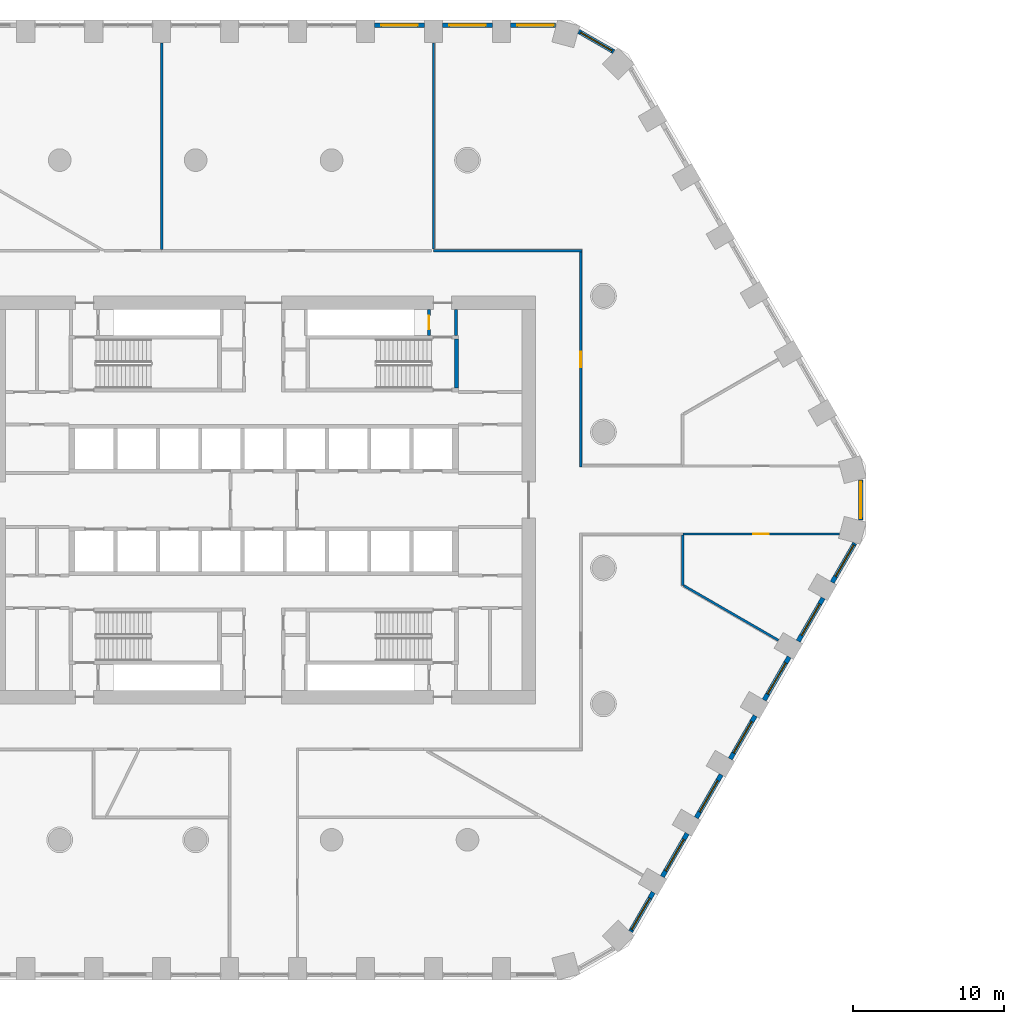
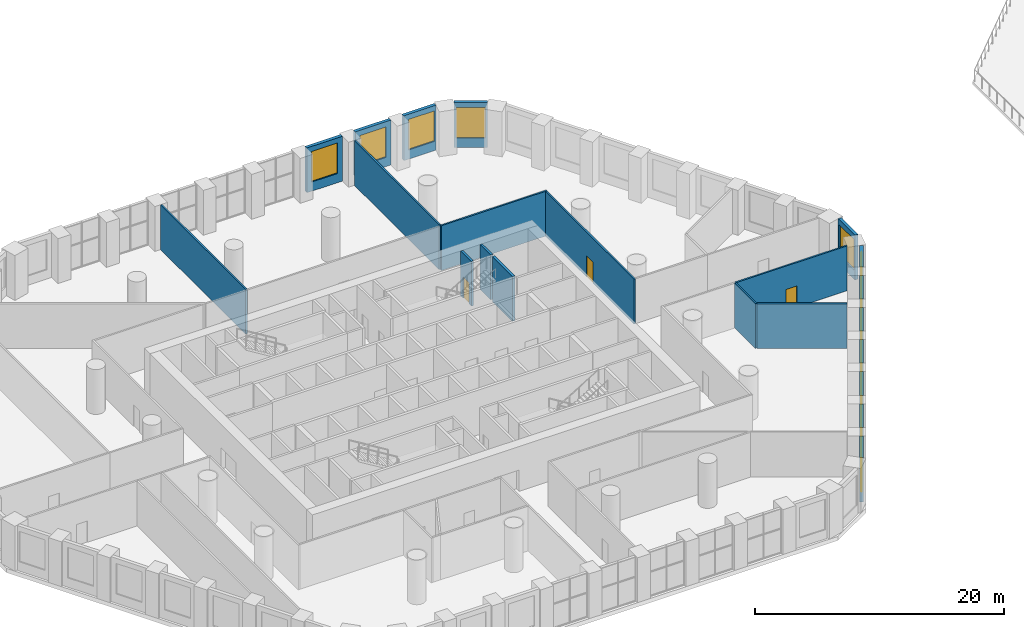
# One storey, part 12 of 21: 22 walls, 12 windows, 3 doors, 15 openings.
"""IFC4 building model written with IfcOpenShell, lengths in metres."""

from ifc_helpers import new_model, si_unit, direction, frame, frame_2d, origin, place, context, subcontext, project, spatial, rectangle, extrude, material, layer, layer_set, type_object, element, fill, save


model = new_model("IFC4")

# Units and contexts
model_context = context("Model", 3, precision=1e-05, world=origin(), true_north=direction((0.0, 1.0)))
body_context = subcontext(model_context, "Body", "Model", "MODEL_VIEW")
ifc_project = project(units=[si_unit("LENGTHUNIT", "METRE"), si_unit("AREAUNIT", "SQUARE_METRE"), si_unit("VOLUMEUNIT", "CUBIC_METRE"), si_unit("PLANEANGLEUNIT", "RADIAN"), si_unit("MASSUNIT", "GRAM", prefix="KILO")], contexts=[model_context])

# Site, building, storey
site_placement = place(None, origin())
site = spatial("IfcSite", under=ifc_project, at=site_placement, CompositionType="ELEMENT")
building_placement = place(site_placement, origin())
building = spatial("IfcBuilding", under=site, at=building_placement, Name="Dhurran Vertical Campus", CompositionType="ELEMENT")
storey_placement = place(building_placement, frame((0.0, 0.0, 20.39990234375)))
storey = spatial("IfcBuildingStorey", under=building, at=storey_placement, Name="L04", CompositionType="ELEMENT", Elevation=20.39990234375)

# Wall, opening, window
ifc_material_1 = material(Name="Precast concrete C50/60", Category="concrete")
ifc_layer_1 = layer(ifc_material_1, 0.300048828125)
ifc_layer_set_1 = layer_set([ifc_layer_1], Name="Precast concrete C50/60")
wall_type_1 = type_object("IfcWallType", Name="Precast spandrel wall 300", PredefinedType="SOLIDWALL", material=ifc_layer_set_1)
wall_1_placement = place(storey_placement, frame((24.29931640625, -28.566162109375, 0.0), z_axis=(0.0, 0.0, 1.0), x_axis=(0.49999586137, 0.866027793211, 0.0)))
wall_1 = element("IfcWall", 1, at=wall_1_placement, inside=storey, type_object=wall_type_1, Name="EW1 L04.10", PredefinedType="SOLIDWALL", context=body_context, shape_type="SweptSolid", body=[
    extrude(rectangle(XDim=2.98876953125, YDim=0.300048828125, at=frame_2d((1.494384765625, 0.0))), origin(), (0.0, 0.0, 1.0), 4.400146484375),
])
opening_1_placement = place(wall_1_placement, frame((0.139404296875, 0.0, 0.89990234375)))
opening_1 = element("IfcOpeningElement", 2, at=opening_1_placement, cuts=wall_1, Name="Opening WT2", PredefinedType="OPENING", context=body_context, shape_type="SweptSolid", body=[
    extrude(rectangle(XDim=2.39990234375, YDim=3.0, at=frame_2d((1.199951171875, 1.5))), frame((0.0, 0.159912109375, 0.0), z_axis=(0.0, -1.0, 0.0), x_axis=(1.0, 0.0, 0.0)), (0.0, 0.0, 1.0), 0.320068359375),
])
ifc_material_2 = material(Name="Aluminium frame with solar-control glass", Category="aluminium")
window_type = type_object("IfcWindowType", Name="Podium window 2400 x 3000", PartitioningType="SINGLE_PANEL", PredefinedType="WINDOW", material=ifc_material_2)
window_1_placement = place(opening_1_placement, origin())
window_1 = element("IfcWindow", 3, at=window_1_placement, inside=storey, type_object=window_type, Name="WT2 L04.10", OverallHeight=3.0, OverallWidth=2.39990234375, PartitioningType="SINGLE_PANEL", PredefinedType="WINDOW", context=body_context, shape_type="SweptSolid", body=[
    extrude(rectangle(XDim=2.39990234375, YDim=3.0, at=frame_2d((1.199951171875, 1.5))), frame((0.0, 0.030029296875, 0.0), z_axis=(0.0, -1.0, 0.0), x_axis=(1.0, 0.0, 0.0)), (0.0, 0.0, 1.0), 0.06005859375),
])
fill(opening_1, window_1)

wall_2_placement = place(storey_placement, frame((26.394287109375, -24.9375, 0.0), z_axis=(0.0, 0.0, 1.0), x_axis=(0.499991515992, 0.866030301974, 0.0)))
wall_2 = element("IfcWall", 4, at=wall_2_placement, inside=storey, type_object=wall_type_1, Name="EW1 L04.11", PredefinedType="SOLIDWALL", context=body_context, shape_type="SweptSolid", body=[
    extrude(rectangle(XDim=3.298828125, YDim=0.300048828125, at=frame_2d((1.6494140625, 0.0))), origin(), (0.0, 0.0, 1.0), 4.400146484375),
])
opening_2_placement = place(wall_2_placement, frame((0.449462890625, 0.0, 0.89990234375)))
opening_2 = element("IfcOpeningElement", 5, at=opening_2_placement, cuts=wall_2, Name="Opening WT2", PredefinedType="OPENING", context=body_context, shape_type="SweptSolid", body=[
    extrude(rectangle(XDim=2.39990234375, YDim=3.0, at=frame_2d((1.199951171875, 1.5))), frame((0.0, 0.159912109375, 0.0), z_axis=(0.0, -1.0, 0.0), x_axis=(1.0, 0.0, 0.0)), (0.0, 0.0, 1.0), 0.320068359375),
])
window_2_placement = place(opening_2_placement, origin())
window_2 = element("IfcWindow", 6, at=window_2_placement, inside=storey, type_object=window_type, Name="WT2 L04.11", OverallHeight=3.0, OverallWidth=2.39990234375, PartitioningType="SINGLE_PANEL", PredefinedType="WINDOW", context=body_context, shape_type="SweptSolid", body=[
    extrude(rectangle(XDim=2.39990234375, YDim=3.0, at=frame_2d((1.199951171875, 1.5))), frame((0.0, 0.030029296875, 0.0), z_axis=(0.0, -1.0, 0.0), x_axis=(1.0, 0.0, 0.0)), (0.0, 0.0, 1.0), 0.06005859375),
])
fill(opening_2, window_2)

wall_3_placement = place(storey_placement, frame((28.644287109375, -21.04052734375, 0.0), z_axis=(0.0, 0.0, 1.0), x_axis=(0.499991515992, 0.866030301974, 0.0)))
wall_3 = element("IfcWall", 7, at=wall_3_placement, inside=storey, type_object=wall_type_1, Name="EW1 L04.12", PredefinedType="SOLIDWALL", context=body_context, shape_type="SweptSolid", body=[
    extrude(rectangle(XDim=3.298828125, YDim=0.300048828125, at=frame_2d((1.6494140625, 0.0))), origin(), (0.0, 0.0, 1.0), 4.400146484375),
])
opening_3_placement = place(wall_3_placement, frame((0.449462890625, 0.0, 0.89990234375)))
opening_3 = element("IfcOpeningElement", 8, at=opening_3_placement, cuts=wall_3, Name="Opening WT2", PredefinedType="OPENING", context=body_context, shape_type="SweptSolid", body=[
    extrude(rectangle(XDim=2.39990234375, YDim=3.0, at=frame_2d((1.199951171875, 1.5))), frame((0.0, 0.159912109375, 0.0), z_axis=(0.0, -1.0, 0.0), x_axis=(1.0, 0.0, 0.0)), (0.0, 0.0, 1.0), 0.320068359375),
])
window_3_placement = place(opening_3_placement, origin())
window_3 = element("IfcWindow", 9, at=window_3_placement, inside=storey, type_object=window_type, Name="WT2 L04.12", OverallHeight=3.0, OverallWidth=2.39990234375, PartitioningType="SINGLE_PANEL", PredefinedType="WINDOW", context=body_context, shape_type="SweptSolid", body=[
    extrude(rectangle(XDim=2.39990234375, YDim=3.0, at=frame_2d((1.199951171875, 1.5))), frame((0.0, 0.030029296875, 0.0), z_axis=(0.0, -1.0, 0.0), x_axis=(1.0, 0.0, 0.0)), (0.0, 0.0, 1.0), 0.06005859375),
])
fill(opening_3, window_3)

wall_4_placement = place(storey_placement, frame((30.894287109375, -17.143310546875, 0.0), z_axis=(0.0, 0.0, 1.0), x_axis=(0.499991515992, 0.866030301974, 0.0)))
wall_4 = element("IfcWall", 10, at=wall_4_placement, inside=storey, type_object=wall_type_1, Name="EW1 L04.13", PredefinedType="SOLIDWALL", context=body_context, shape_type="SweptSolid", body=[
    extrude(rectangle(XDim=3.298828125, YDim=0.300048828125, at=frame_2d((1.6494140625, 0.0))), origin(), (0.0, 0.0, 1.0), 4.400146484375),
])
opening_4_placement = place(wall_4_placement, frame((0.449462890625, 0.0, 0.89990234375)))
opening_4 = element("IfcOpeningElement", 11, at=opening_4_placement, cuts=wall_4, Name="Opening WT2", PredefinedType="OPENING", context=body_context, shape_type="SweptSolid", body=[
    extrude(rectangle(XDim=2.39990234375, YDim=3.0, at=frame_2d((1.199951171875, 1.5))), frame((0.0, 0.159912109375, 0.0), z_axis=(0.0, -1.0, 0.0), x_axis=(1.0, 0.0, 0.0)), (0.0, 0.0, 1.0), 0.320068359375),
])
window_4_placement = place(opening_4_placement, origin())
window_4 = element("IfcWindow", 12, at=window_4_placement, inside=storey, type_object=window_type, Name="WT2 L04.13", OverallHeight=3.0, OverallWidth=2.39990234375, PartitioningType="SINGLE_PANEL", PredefinedType="WINDOW", context=body_context, shape_type="SweptSolid", body=[
    extrude(rectangle(XDim=2.39990234375, YDim=3.0, at=frame_2d((1.199951171875, 1.5))), frame((0.0, 0.030029296875, 0.0), z_axis=(0.0, -1.0, 0.0), x_axis=(1.0, 0.0, 0.0)), (0.0, 0.0, 1.0), 0.06005859375),
])
fill(opening_4, window_4)

wall_5_placement = place(storey_placement, frame((33.144287109375, -13.246337890625, 0.0), z_axis=(0.0, 0.0, 1.0), x_axis=(0.499991515992, 0.866030301974, 0.0)))
wall_5 = element("IfcWall", 13, at=wall_5_placement, inside=storey, type_object=wall_type_1, Name="EW1 L04.14", PredefinedType="SOLIDWALL", context=body_context, shape_type="SweptSolid", body=[
    extrude(rectangle(XDim=3.298828125, YDim=0.300048828125, at=frame_2d((1.6494140625, 0.0))), origin(), (0.0, 0.0, 1.0), 4.400146484375),
])
opening_5_placement = place(wall_5_placement, frame((0.449462890625, 0.0, 0.89990234375)))
opening_5 = element("IfcOpeningElement", 14, at=opening_5_placement, cuts=wall_5, Name="Opening WT2", PredefinedType="OPENING", context=body_context, shape_type="SweptSolid", body=[
    extrude(rectangle(XDim=2.39990234375, YDim=3.0, at=frame_2d((1.199951171875, 1.5))), frame((0.0, 0.159912109375, 0.0), z_axis=(0.0, -1.0, 0.0), x_axis=(1.0, 0.0, 0.0)), (0.0, 0.0, 1.0), 0.320068359375),
])
window_5_placement = place(opening_5_placement, origin())
window_5 = element("IfcWindow", 15, at=window_5_placement, inside=storey, type_object=window_type, Name="WT2 L04.14", OverallHeight=3.0, OverallWidth=2.39990234375, PartitioningType="SINGLE_PANEL", PredefinedType="WINDOW", context=body_context, shape_type="SweptSolid", body=[
    extrude(rectangle(XDim=2.39990234375, YDim=3.0, at=frame_2d((1.199951171875, 1.5))), frame((0.0, 0.030029296875, 0.0), z_axis=(0.0, -1.0, 0.0), x_axis=(1.0, 0.0, 0.0)), (0.0, 0.0, 1.0), 0.06005859375),
])
fill(opening_5, window_5)

wall_6_placement = place(storey_placement, frame((35.394287109375, -9.34912109375, 0.0), z_axis=(0.0, 0.0, 1.0), x_axis=(0.499991515992, 0.866030301974, 0.0)))
wall_6 = element("IfcWall", 16, at=wall_6_placement, inside=storey, type_object=wall_type_1, Name="EW1 L04.15", PredefinedType="SOLIDWALL", context=body_context, shape_type="SweptSolid", body=[
    extrude(rectangle(XDim=3.298828125, YDim=0.300048828125, at=frame_2d((1.6494140625, 0.0))), origin(), (0.0, 0.0, 1.0), 4.400146484375),
])
opening_6_placement = place(wall_6_placement, frame((0.449462890625, 0.0, 0.89990234375)))
opening_6 = element("IfcOpeningElement", 17, at=opening_6_placement, cuts=wall_6, Name="Opening WT2", PredefinedType="OPENING", context=body_context, shape_type="SweptSolid", body=[
    extrude(rectangle(XDim=2.39990234375, YDim=3.0, at=frame_2d((1.199951171875, 1.5))), frame((0.0, 0.159912109375, 0.0), z_axis=(0.0, -1.0, 0.0), x_axis=(1.0, 0.0, 0.0)), (0.0, 0.0, 1.0), 0.320068359375),
])
window_6_placement = place(opening_6_placement, origin())
window_6 = element("IfcWindow", 18, at=window_6_placement, inside=storey, type_object=window_type, Name="WT2 L04.15", OverallHeight=3.0, OverallWidth=2.39990234375, PartitioningType="SINGLE_PANEL", PredefinedType="WINDOW", context=body_context, shape_type="SweptSolid", body=[
    extrude(rectangle(XDim=2.39990234375, YDim=3.0, at=frame_2d((1.199951171875, 1.5))), frame((0.0, 0.030029296875, 0.0), z_axis=(0.0, -1.0, 0.0), x_axis=(1.0, 0.0, 0.0)), (0.0, 0.0, 1.0), 0.06005859375),
])
fill(opening_6, window_6)

wall_7_placement = place(storey_placement, frame((37.644287109375, -5.4521484375, 0.0), z_axis=(0.0, 0.0, 1.0), x_axis=(0.49999586137, 0.866027793211, 0.0)))
wall_7 = element("IfcWall", 19, at=wall_7_placement, inside=storey, type_object=wall_type_1, Name="EW1 L04.16", PredefinedType="SOLIDWALL", context=body_context, shape_type="SweptSolid", body=[
    extrude(rectangle(XDim=2.98876953125, YDim=0.300048828125, at=frame_2d((1.494384765625, 0.0))), origin(), (0.0, 0.0, 1.0), 4.400146484375),
])
opening_7_placement = place(wall_7_placement, frame((0.449462890625, 0.0, 0.89990234375)))
opening_7 = element("IfcOpeningElement", 20, at=opening_7_placement, cuts=wall_7, Name="Opening WT2", PredefinedType="OPENING", context=body_context, shape_type="SweptSolid", body=[
    extrude(rectangle(XDim=2.39990234375, YDim=3.0, at=frame_2d((1.199951171875, 1.5))), frame((0.0, 0.159912109375, 0.0), z_axis=(0.0, -1.0, 0.0), x_axis=(1.0, 0.0, 0.0)), (0.0, 0.0, 1.0), 0.320068359375),
])
window_7_placement = place(opening_7_placement, origin())
window_7 = element("IfcWindow", 21, at=window_7_placement, inside=storey, type_object=window_type, Name="WT2 L04.16", OverallHeight=3.0, OverallWidth=2.39990234375, PartitioningType="SINGLE_PANEL", PredefinedType="WINDOW", context=body_context, shape_type="SweptSolid", body=[
    extrude(rectangle(XDim=2.39990234375, YDim=3.0, at=frame_2d((1.199951171875, 1.5))), frame((0.0, 0.030029296875, 0.0), z_axis=(0.0, -1.0, 0.0), x_axis=(1.0, 0.0, 0.0)), (0.0, 0.0, 1.0), 0.06005859375),
])
fill(opening_7, window_7)

wall_8_placement = place(storey_placement, frame((39.547119140625, -1.33935546875, 0.0), z_axis=(0.0, 0.0, 1.0), x_axis=(0.0, 1.0, 0.0)))
wall_8 = element("IfcWall", 22, at=wall_8_placement, inside=storey, type_object=wall_type_1, Name="EW1 L04.17", PredefinedType="SOLIDWALL", context=body_context, shape_type="SweptSolid", body=[
    extrude(rectangle(XDim=2.6787109375, YDim=0.300048828125, at=frame_2d((1.33935546875, 0.0))), origin(), (0.0, 0.0, 1.0), 4.400146484375),
])
opening_8_placement = place(wall_8_placement, frame((0.139404296875, 0.0, 0.89990234375)))
opening_8 = element("IfcOpeningElement", 23, at=opening_8_placement, cuts=wall_8, Name="Opening WT2", PredefinedType="OPENING", context=body_context, shape_type="SweptSolid", body=[
    extrude(rectangle(XDim=2.39990234375, YDim=3.0, at=frame_2d((1.199951171875, 1.5))), frame((0.0, 0.159912109375, 0.0), z_axis=(0.0, -1.0, 0.0), x_axis=(1.0, 0.0, 0.0)), (0.0, 0.0, 1.0), 0.320068359375),
])
window_8_placement = place(opening_8_placement, origin())
window_8 = element("IfcWindow", 24, at=window_8_placement, inside=storey, type_object=window_type, Name="WT2 L04.17", OverallHeight=3.0, OverallWidth=2.39990234375, PartitioningType="SINGLE_PANEL", PredefinedType="WINDOW", context=body_context, shape_type="SweptSolid", body=[
    extrude(rectangle(XDim=2.39990234375, YDim=3.0, at=frame_2d((1.199951171875, 1.5))), frame((0.0, 0.030029296875, 0.0), z_axis=(0.0, -1.0, 0.0), x_axis=(1.0, 0.0, 0.0)), (0.0, 0.0, 1.0), 0.06005859375),
])
fill(opening_8, window_8)

wall_9_placement = place(storey_placement, frame((23.183349609375, 29.681884765625, 0.0), z_axis=(0.0, 0.0, 1.0), x_axis=(-0.866001915448, 0.500040680786, 0.0)))
wall_9 = element("IfcWall", 25, at=wall_9_placement, inside=storey, type_object=wall_type_1, Name="EW1 L04.25", PredefinedType="SOLIDWALL", context=body_context, shape_type="SweptSolid", body=[
    extrude(rectangle(XDim=2.678466796875, YDim=0.300048828125, at=frame_2d((1.33935546875, 0.0))), origin(), (0.0, 0.0, 1.0), 4.400146484375),
])
opening_9_placement = place(wall_9_placement, frame((0.139404296875, 0.0, 0.89990234375)))
opening_9 = element("IfcOpeningElement", 26, at=opening_9_placement, cuts=wall_9, Name="Opening WT2", PredefinedType="OPENING", context=body_context, shape_type="SweptSolid", body=[
    extrude(rectangle(XDim=2.39990234375, YDim=3.0, at=frame_2d((1.199951171875, 1.5))), frame((0.0, 0.159912109375, 0.0), z_axis=(0.0, -1.0, 0.0), x_axis=(1.0, 0.0, 0.0)), (0.0, 0.0, 1.0), 0.320068359375),
])
window_9_placement = place(opening_9_placement, origin())
window_9 = element("IfcWindow", 27, at=window_9_placement, inside=storey, type_object=window_type, Name="WT2 L04.25", OverallHeight=3.0, OverallWidth=2.39990234375, PartitioningType="SINGLE_PANEL", PredefinedType="WINDOW", context=body_context, shape_type="SweptSolid", body=[
    extrude(rectangle(XDim=2.39990234375, YDim=3.0, at=frame_2d((1.199951171875, 1.5))), frame((0.0, 0.030029296875, 0.0), z_axis=(0.0, -1.0, 0.0), x_axis=(1.0, 0.0, 0.0)), (0.0, 0.0, 1.0), 0.06005859375),
])
fill(opening_9, window_9)

wall_10_placement = place(storey_placement, frame((19.33935546875, 31.4296875, 0.0), z_axis=(0.0, 0.0, 1.0), x_axis=(-1.0, 0.0, 0.0)))
wall_10 = element("IfcWall", 28, at=wall_10_placement, inside=storey, type_object=wall_type_1, Name="EW1 L04.26", PredefinedType="SOLIDWALL", context=body_context, shape_type="SweptSolid", body=[
    extrude(rectangle(XDim=2.98876953125, YDim=0.300048828125, at=frame_2d((1.494384765625, 0.0))), origin(), (0.0, 0.0, 1.0), 4.400146484375),
])
opening_10_placement = place(wall_10_placement, frame((0.139404296875, 0.0, 0.89990234375)))
opening_10 = element("IfcOpeningElement", 29, at=opening_10_placement, cuts=wall_10, Name="Opening WT2", PredefinedType="OPENING", context=body_context, shape_type="SweptSolid", body=[
    extrude(rectangle(XDim=2.39990234375, YDim=3.0, at=frame_2d((1.199951171875, 1.5))), frame((0.0, 0.159912109375, 0.0), z_axis=(0.0, -1.0, 0.0), x_axis=(1.0, 0.0, 0.0)), (0.0, 0.0, 1.0), 0.320068359375),
])
window_10_placement = place(opening_10_placement, origin())
window_10 = element("IfcWindow", 30, at=window_10_placement, inside=storey, type_object=window_type, Name="WT2 L04.26", OverallHeight=3.0, OverallWidth=2.39990234375, PartitioningType="SINGLE_PANEL", PredefinedType="WINDOW", context=body_context, shape_type="SweptSolid", body=[
    extrude(rectangle(XDim=2.39990234375, YDim=3.0, at=frame_2d((1.199951171875, 1.5))), frame((0.0, 0.030029296875, 0.0), z_axis=(0.0, -1.0, 0.0), x_axis=(1.0, 0.0, 0.0)), (0.0, 0.0, 1.0), 0.06005859375),
])
fill(opening_10, window_10)

wall_11_placement = place(storey_placement, frame((15.1494140625, 31.4296875, 0.0), z_axis=(0.0, 0.0, 1.0), x_axis=(-1.0, 0.0, 0.0)))
wall_11 = element("IfcWall", 31, at=wall_11_placement, inside=storey, type_object=wall_type_1, Name="EW1 L04.27", PredefinedType="SOLIDWALL", context=body_context, shape_type="SweptSolid", body=[
    extrude(rectangle(XDim=3.298828125, YDim=0.300048828125, at=frame_2d((1.6494140625, 0.0))), origin(), (0.0, 0.0, 1.0), 4.400146484375),
])
opening_11_placement = place(wall_11_placement, frame((0.449462890625, 0.0, 0.89990234375)))
opening_11 = element("IfcOpeningElement", 32, at=opening_11_placement, cuts=wall_11, Name="Opening WT2", PredefinedType="OPENING", context=body_context, shape_type="SweptSolid", body=[
    extrude(rectangle(XDim=2.39990234375, YDim=3.0, at=frame_2d((1.199951171875, 1.5))), frame((0.0, 0.159912109375, 0.0), z_axis=(0.0, -1.0, 0.0), x_axis=(1.0, 0.0, 0.0)), (0.0, 0.0, 1.0), 0.320068359375),
])
window_11_placement = place(opening_11_placement, origin())
window_11 = element("IfcWindow", 33, at=window_11_placement, inside=storey, type_object=window_type, Name="WT2 L04.27", OverallHeight=3.0, OverallWidth=2.39990234375, PartitioningType="SINGLE_PANEL", PredefinedType="WINDOW", context=body_context, shape_type="SweptSolid", body=[
    extrude(rectangle(XDim=2.39990234375, YDim=3.0, at=frame_2d((1.199951171875, 1.5))), frame((0.0, 0.030029296875, 0.0), z_axis=(0.0, -1.0, 0.0), x_axis=(1.0, 0.0, 0.0)), (0.0, 0.0, 1.0), 0.06005859375),
])
fill(opening_11, window_11)

wall_12_placement = place(storey_placement, frame((10.6494140625, 31.4296875, 0.0), z_axis=(0.0, 0.0, 1.0), x_axis=(-1.0, 0.0, 0.0)))
wall_12 = element("IfcWall", 34, at=wall_12_placement, inside=storey, type_object=wall_type_1, Name="EW1 L04.28", PredefinedType="SOLIDWALL", context=body_context, shape_type="SweptSolid", body=[
    extrude(rectangle(XDim=3.298828125, YDim=0.300048828125, at=frame_2d((1.6494140625, 0.0))), origin(), (0.0, 0.0, 1.0), 4.400146484375),
])
opening_12_placement = place(wall_12_placement, frame((0.449462890625, 0.0, 0.89990234375)))
opening_12 = element("IfcOpeningElement", 35, at=opening_12_placement, cuts=wall_12, Name="Opening WT2", PredefinedType="OPENING", context=body_context, shape_type="SweptSolid", body=[
    extrude(rectangle(XDim=2.39990234375, YDim=3.0, at=frame_2d((1.199951171875, 1.5))), frame((0.0, 0.159912109375, 0.0), z_axis=(0.0, -1.0, 0.0), x_axis=(1.0, 0.0, 0.0)), (0.0, 0.0, 1.0), 0.320068359375),
])
window_12_placement = place(opening_12_placement, origin())
window_12 = element("IfcWindow", 36, at=window_12_placement, inside=storey, type_object=window_type, Name="WT2 L04.28", OverallHeight=3.0, OverallWidth=2.39990234375, PartitioningType="SINGLE_PANEL", PredefinedType="WINDOW", context=body_context, shape_type="SweptSolid", body=[
    extrude(rectangle(XDim=2.39990234375, YDim=3.0, at=frame_2d((1.199951171875, 1.5))), frame((0.0, 0.030029296875, 0.0), z_axis=(0.0, -1.0, 0.0), x_axis=(1.0, 0.0, 0.0)), (0.0, 0.0, 1.0), 0.06005859375),
])
fill(opening_12, window_12)

# Wall
ifc_material_3 = material(Name="Fire-rated masonry blockwork", Category="masonry")
ifc_layer_2 = layer(ifc_material_3, 0.199951171875)
ifc_layer_set_2 = layer_set([ifc_layer_2], Name="Fire-rated masonry blockwork")
wall_type_2 = type_object("IfcWallType", Name="co-FIRE-PARTITION-200", PredefinedType="PARTITIONING", material=ifc_layer_set_2)
wall_13_placement = place(storey_placement, frame((12.75, 10.89990234375, 0.0), z_axis=(0.0, 0.0, 1.0), x_axis=(0.0, 1.0, 0.0)))
element("IfcWall", 37, at=wall_13_placement, inside=storey, type_object=wall_type_2, Name="Core partition pass-ST2-o L04", PredefinedType="PARTITIONING", context=body_context, shape_type="SweptSolid", body=[
    extrude(rectangle(XDim=1.7001953125, YDim=0.199951171875, at=frame_2d((0.85009765625, 0.0))), origin(), (0.0, 0.0, 1.0), 4.400146484375),
])

# Wall, opening, door
wall_14_placement = place(storey_placement, frame((10.949951171875, 10.89990234375, 0.0), z_axis=(0.0, 0.0, 1.0), x_axis=(0.0, 1.0, 0.0)))
wall_14 = element("IfcWall", 38, at=wall_14_placement, inside=storey, type_object=wall_type_2, Name="Core partition pass-ST2-i L04", PredefinedType="PARTITIONING", context=body_context, shape_type="SweptSolid", body=[
    extrude(rectangle(XDim=1.7001953125, YDim=0.199951171875, at=frame_2d((0.85009765625, 0.0))), origin(), (0.0, 0.0, 1.0), 4.400146484375),
])
opening_13_placement = place(wall_14_placement, frame((0.39990234375, 0.0, 0.0)))
opening_13 = element("IfcOpeningElement", 39, at=opening_13_placement, cuts=wall_14, Name="Opening PD04-C10", PredefinedType="OPENING", context=body_context, shape_type="SweptSolid", body=[
    extrude(rectangle(XDim=0.89990234375, YDim=2.10009765625, at=frame_2d((0.449951171875, 1.050048828125))), frame((0.0, 0.10986328125, 0.0), z_axis=(0.0, -1.0, 0.0), x_axis=(1.0, 0.0, 0.0)), (0.0, 0.0, 1.0), 0.219970703125),
])
ifc_material_4 = material(Name="Fire-rated timber door set", Category="wood")
door_type_1 = type_object("IfcDoorType", Name="co-D-ROOM 900x2100", OperationType="SINGLE_SWING_LEFT", PredefinedType="DOOR", material=ifc_material_4)
door_1_placement = place(opening_13_placement, origin())
door_1 = element("IfcDoor", 40, at=door_1_placement, inside=storey, type_object=door_type_1, Name="Riser room door L04", OperationType="SINGLE_SWING_LEFT", OverallHeight=2.10009765625, OverallWidth=0.89990234375, PredefinedType="DOOR", context=body_context, shape_type="SweptSolid", body=[
    extrude(rectangle(XDim=0.89990234375, YDim=2.10009765625, at=frame_2d((0.449951171875, 1.050048828125))), frame((0.0, 0.02490234375, 0.0), z_axis=(0.0, -1.0, 0.0), x_axis=(1.0, 0.0, 0.0)), (0.0, 0.0, 1.0), 0.050048828125),
])
fill(opening_13, door_1)

# Walls
ifc_material_5 = material(Name="Concrete C40/50", Category="concrete")
ifc_layer_3 = layer(ifc_material_5, 0.25)
ifc_layer_set_3 = layer_set([ifc_layer_3], Name="Concrete C40/50")
wall_type_3 = type_object("IfcWallType", Name="co-STAIR-WALL-250", PredefinedType="SHEAR", material=ifc_layer_set_3)
wall_15_placement = place(storey_placement, frame((12.77490234375, 7.39990234375, 0.0), z_axis=(0.0, 0.0, 1.0), x_axis=(0.0, 1.0, 0.0)))
element("IfcWall", 41, at=wall_15_placement, inside=storey, type_object=wall_type_3, Name="Stair ST2 enclosure wall L04", PredefinedType="SHEAR", context=body_context, shape_type="SweptSolid", body=[
    extrude(rectangle(XDim=3.25, YDim=0.25, at=frame_2d((1.625, 0.0))), origin(), (0.0, 0.0, 1.0), 4.400146484375),
])
ifc_material_6 = material(Name="Gypsum board corridor wall on steel studs", Category="steel")
ifc_layer_4 = layer(ifc_material_6, 0.14990234375)
ifc_layer_set_4 = layer_set([ifc_layer_4], Name="Gypsum board corridor wall on steel studs")
wall_type_4 = type_object("IfcWallType", Name="fl-CW-150 corridor wall", PredefinedType="PARTITIONING", material=ifc_layer_set_4)
wall_16_placement = place(storey_placement, frame((21.074951171875, 16.5, 0.0), z_axis=(0.0, 0.0, 1.0), x_axis=(-1.0, 0.0, 0.0)))
element("IfcWall", 42, at=wall_16_placement, inside=storey, type_object=wall_type_4, Name="Partition 04-31", PredefinedType="PARTITIONING", context=body_context, shape_type="SweptSolid", body=[
    extrude(rectangle(XDim=9.824951171875, YDim=0.14990234375, at=frame_2d((4.91259765625, 0.0))), origin(), (0.0, 0.0, 1.0), 4.400146484375),
])

# Wall, opening, door
wall_17_placement = place(storey_placement, frame((21.0, 2.175048828125, 0.0), z_axis=(0.0, 0.0, 1.0), x_axis=(0.0, 1.0, 0.0)))
wall_17 = element("IfcWall", 43, at=wall_17_placement, inside=storey, type_object=wall_type_4, Name="Partition 04-36", PredefinedType="PARTITIONING", context=body_context, shape_type="SweptSolid", body=[
    extrude(rectangle(XDim=14.25, YDim=0.14990234375, at=frame_2d((7.125, 0.0))), origin(), (0.0, 0.0, 1.0), 4.400146484375),
])
opening_14_placement = place(wall_17_placement, frame((6.625, 0.0, 0.0)))
opening_14 = element("IfcOpeningElement", 44, at=opening_14_placement, cuts=wall_17, Name="Opening PD04.12", PredefinedType="OPENING", context=body_context, shape_type="SweptSolid", body=[
    extrude(rectangle(XDim=1.0, YDim=2.10009765625, at=frame_2d((0.5, 1.050048828125))), frame((0.0, 0.0849609375, 0.0), z_axis=(0.0, -1.0, 0.0), x_axis=(1.0, 0.0, 0.0)), (0.0, 0.0, 1.0), 0.169921875),
])
ifc_material_7 = material(Name="Solid-core timber door set, fire-rated", Category="wood")
door_type_2 = type_object("IfcDoorType", Name="fl-D-1000x2100", OperationType="SINGLE_SWING_LEFT", PredefinedType="DOOR", material=ifc_material_7)
door_2_placement = place(opening_14_placement, origin())
door_2 = element("IfcDoor", 45, at=door_2_placement, inside=storey, type_object=door_type_2, Name="Door 04.12", OperationType="SINGLE_SWING_RIGHT", OverallHeight=2.10009765625, OverallWidth=1.0, PredefinedType="DOOR", context=body_context, shape_type="SweptSolid", body=[
    extrude(rectangle(XDim=1.0, YDim=2.10009765625, at=frame_2d((0.5, 1.050048828125))), frame((0.0, 0.02490234375, 0.0), z_axis=(0.0, -1.0, 0.0), x_axis=(1.0, 0.0, 0.0)), (0.0, 0.0, 1.0), 0.050048828125),
])
fill(opening_14, door_2)

wall_18_placement = place(storey_placement, frame((38.115478515625, -2.25, 0.0), z_axis=(0.0, 0.0, 1.0), x_axis=(-1.0, 0.0, 0.0)))
wall_18 = element("IfcWall", 46, at=wall_18_placement, inside=storey, type_object=wall_type_4, Name="Partition 04-40", PredefinedType="PARTITIONING", context=body_context, shape_type="SweptSolid", body=[
    extrude(rectangle(XDim=10.365478515625, YDim=0.14990234375, at=frame_2d((5.1826171875, 0.0))), origin(), (0.0, 0.0, 1.0), 4.400146484375),
])
opening_15_placement = place(wall_18_placement, frame((4.6826171875, 0.0, 0.0)))
opening_15 = element("IfcOpeningElement", 47, at=opening_15_placement, cuts=wall_18, Name="Opening PD04.14", PredefinedType="OPENING", context=body_context, shape_type="SweptSolid", body=[
    extrude(rectangle(XDim=1.0, YDim=2.10009765625, at=frame_2d((0.5, 1.050048828125))), frame((0.0, 0.0849609375, 0.0), z_axis=(0.0, -1.0, 0.0), x_axis=(1.0, 0.0, 0.0)), (0.0, 0.0, 1.0), 0.169921875),
])
door_3_placement = place(opening_15_placement, origin())
door_3 = element("IfcDoor", 48, at=door_3_placement, inside=storey, type_object=door_type_2, Name="Door 04.14", OperationType="SINGLE_SWING_LEFT", OverallHeight=2.10009765625, OverallWidth=1.0, PredefinedType="DOOR", context=body_context, shape_type="SweptSolid", body=[
    extrude(rectangle(XDim=1.0, YDim=2.10009765625, at=frame_2d((0.5, 1.050048828125))), frame((0.0, 0.02490234375, 0.0), z_axis=(0.0, -1.0, 0.0), x_axis=(1.0, 0.0, 0.0)), (0.0, 0.0, 1.0), 0.050048828125),
])
fill(opening_15, door_3)

# Walls
ifc_material_8 = material(Name="Gypsum board partition on steel studs", Category="steel")
ifc_layer_5 = layer(ifc_material_8, 0.14990234375)
ifc_layer_set_5 = layer_set([ifc_layer_5], Name="Gypsum board partition on steel studs")
wall_type_5 = type_object("IfcWallType", Name="fl-PW-150 fixed partition", PredefinedType="PARTITIONING", material=ifc_layer_set_5)
wall_19_placement = place(storey_placement, frame((-6.75, 30.259765625, 0.0), z_axis=(0.0, 0.0, 1.0), x_axis=(0.0, -1.0, 0.0)))
element("IfcWall", 49, at=wall_19_placement, inside=storey, type_object=wall_type_5, Name="Partition 04-21", PredefinedType="PARTITIONING", context=body_context, shape_type="SweptSolid", body=[
    extrude(rectangle(XDim=13.684814453125, YDim=0.14990234375, at=frame_2d((6.84228515625, 0.0))), origin(), (0.0, 0.0, 1.0), 4.400146484375),
])
wall_20_placement = place(storey_placement, frame((11.25, 30.259765625, 0.0), z_axis=(0.0, 0.0, 1.0), x_axis=(0.0, -1.0, 0.0)))
element("IfcWall", 50, at=wall_20_placement, inside=storey, type_object=wall_type_5, Name="Partition 04-32", PredefinedType="PARTITIONING", context=body_context, shape_type="SweptSolid", body=[
    extrude(rectangle(XDim=13.626708984375, YDim=0.14990234375, at=frame_2d((6.8134765625, 0.0))), origin(), (0.0, 0.0, 1.0), 4.400146484375),
])
wall_21_placement = place(storey_placement, frame((27.75, -2.324951171875, 0.0), z_axis=(0.0, 0.0, 1.0), x_axis=(0.0, -1.0, 0.0)))
element("IfcWall", 51, at=wall_21_placement, inside=storey, type_object=wall_type_5, Name="Partition 04-38", PredefinedType="PARTITIONING", context=body_context, shape_type="SweptSolid", body=[
    extrude(rectangle(XDim=3.3291015625, YDim=0.14990234375, at=frame_2d((1.66455078125, 0.0))), origin(), (0.0, 0.0, 1.0), 4.400146484375),
])
wall_22_placement = place(storey_placement, frame((27.81494140625, -5.66650390625, 0.0), z_axis=(0.0, 0.0, 1.0), x_axis=(0.866020942329, -0.500007727388, 0.0)))
element("IfcWall", 52, at=wall_22_placement, inside=storey, type_object=wall_type_5, Name="Partition 04-39", PredefinedType="PARTITIONING", context=body_context, shape_type="SweptSolid", body=[
    extrude(rectangle(XDim=7.2353515625, YDim=0.14990234375, at=frame_2d((3.61767578125, 0.0))), origin(), (0.0, 0.0, 1.0), 4.400146484375),
])

save(model, "model.ifc")
